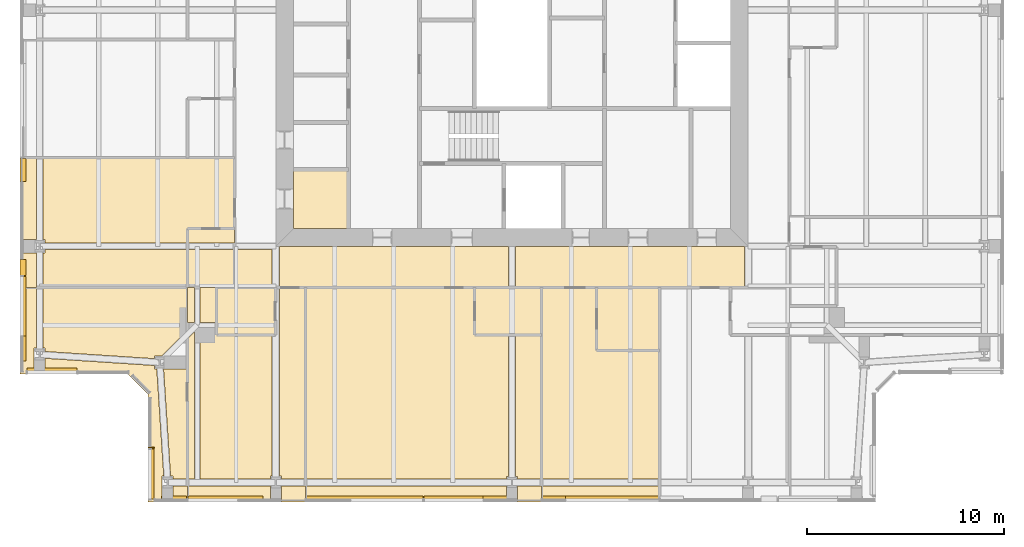
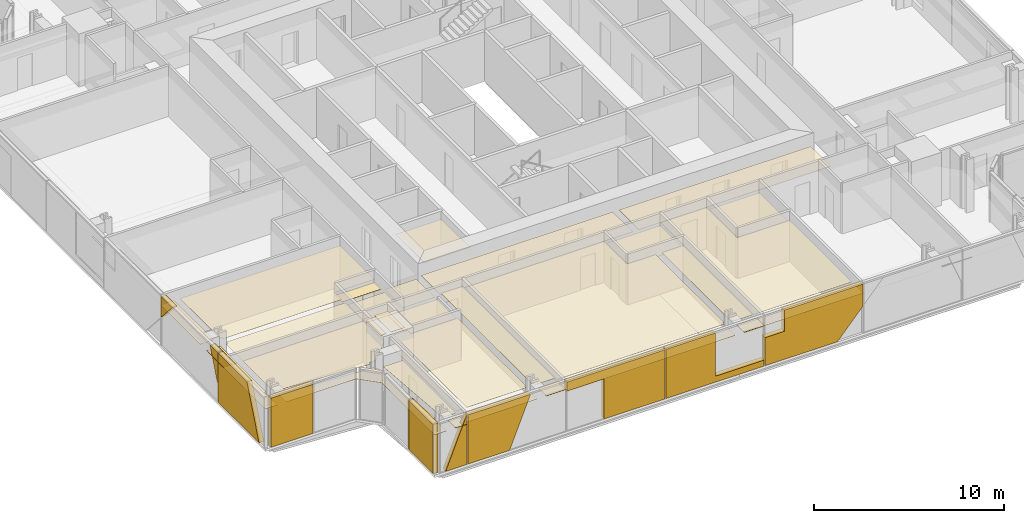
# One storey, part 16 of 20: 42 coverings.
"""IFC4 building model written with IfcOpenShell, lengths in metres."""

from ifc_helpers import new_model, si_unit, direction, frame, origin, place, context, subcontext, project, spatial, polyline, outline, extrude, material, layer, layer_set, type_object, element, save


model = new_model("IFC4")

# Units and contexts
model_context = context("Model", 3, precision=1e-05, world=origin(), true_north=direction((0.0, 1.0)))
body_context = subcontext(model_context, "Body", "Model", "MODEL_VIEW")
ifc_project = project(units=[si_unit("LENGTHUNIT", "METRE"), si_unit("AREAUNIT", "SQUARE_METRE"), si_unit("VOLUMEUNIT", "CUBIC_METRE"), si_unit("PLANEANGLEUNIT", "RADIAN"), si_unit("MASSUNIT", "GRAM", prefix="KILO")], contexts=[model_context])

# Site, building, storey
site_placement = place(None, origin())
site = spatial("IfcSite", under=ifc_project, at=site_placement, CompositionType="ELEMENT")
building_placement = place(site_placement, origin())
building = spatial("IfcBuilding", under=site, at=building_placement, Name="Fenwick Lantern Interchange", CompositionType="ELEMENT")
storey_placement = place(building_placement, frame((0.0, 0.0, 259.39990234375)))
storey = spatial("IfcBuildingStorey", under=building, at=storey_placement, Name="L61", CompositionType="ELEMENT", Elevation=259.39990234375)

# Coverings
ifc_material_1 = material(Name="Granite cladding, warm grey flamed finish, on aluminium carrier frame", Category="masonry")
ifc_layer_1 = layer(ifc_material_1, 0.300048828125)
ifc_layer_set_1 = layer_set([ifc_layer_1], Name="BRACE CASING PANEL 300")
covering_type_1 = type_object("IfcCoveringType", Name="BRACE CASING PANEL 300", PredefinedType="CLADDING", material=ifc_layer_set_1)
covering_1_placement = place(storey_placement, frame((6.60009765625, 0.10009765625, 0.0), z_axis=(0.0, 0.0, 1.0), x_axis=(1.0, 0.0, 0.0)))
element("IfcCovering", 1, at=covering_1_placement, inside=storey, type_object=covering_type_1, Name="Brace casing 01 bay 00a", PredefinedType="CLADDING", context=body_context, shape_type="SweptSolid", body=[
    extrude(outline(polyline([(0.578369140625, 0.0), (1.8701171875, 0.0), (1.8701171875, 3.150146484375), (1.852294921875, 3.150146484375), (0.578369140625, 0.0)])), frame((0.0, 0.2099609375, 0.0), z_axis=(0.0, -1.0, 0.0), x_axis=(1.0, 0.0, 0.0)), (0.0, 0.0, 1.0), 0.300048828125),
])
covering_2_placement = place(storey_placement, frame((6.60009765625, 0.10009765625, 0.0), z_axis=(0.0, 0.0, 1.0), x_axis=(1.0, 0.0, 0.0)))
element("IfcCovering", 2, at=covering_2_placement, inside=storey, type_object=covering_type_1, Name="Brace casing 01 bay 01a", PredefinedType="CLADDING", context=body_context, shape_type="SweptSolid", body=[
    extrude(outline(polyline([(1.929931640625, 0.0), (4.461669921875, 0.0), (5.735595703125, 3.150146484375), (1.929931640625, 3.150146484375), (1.929931640625, 0.0)])), frame((0.0, 0.2099609375, 0.0), z_axis=(0.0, -1.0, 0.0), x_axis=(1.0, 0.0, 0.0)), (0.0, 0.0, 1.0), 0.300048828125),
])
covering_3_placement = place(storey_placement, frame((6.60009765625, 0.10009765625, 0.0), z_axis=(0.0, 0.0, 1.0), x_axis=(1.0, 0.0, 0.0)))
element("IfcCovering", 3, at=covering_3_placement, inside=storey, type_object=covering_type_1, Name="Brace casing 01 bay 02a", PredefinedType="CLADDING", context=body_context, shape_type="SweptSolid", body=[
    extrude(outline(polyline([(10.195068359375, 0.0), (13.8701171875, 0.0), (13.8701171875, 3.150146484375), (7.929931640625, 3.150146484375), (7.929931640625, 2.572509765625), (10.195068359375, 2.572509765625), (10.195068359375, 0.0)])), frame((0.0, 0.2099609375, 0.0), z_axis=(0.0, -1.0, 0.0), x_axis=(1.0, 0.0, 0.0)), (0.0, 0.0, 1.0), 0.300048828125),
])
covering_4_placement = place(storey_placement, frame((6.60009765625, 0.10009765625, 0.0), z_axis=(0.0, 0.0, 1.0), x_axis=(1.0, 0.0, 0.0)))
element("IfcCovering", 4, at=covering_4_placement, inside=storey, type_object=covering_type_1, Name="Brace casing 01 bay 03a", PredefinedType="CLADDING", context=body_context, shape_type="SweptSolid", body=[
    extrude(outline(polyline([(13.929931640625, 0.0), (19.8701171875, 0.0), (19.8701171875, 0.384765625), (16.92626953125, 0.384765625), (16.92626953125, 3.150146484375), (13.929931640625, 3.150146484375), (13.929931640625, 0.0)])), frame((0.0, 0.2099609375, 0.0), z_axis=(0.0, -1.0, 0.0), x_axis=(1.0, 0.0, 0.0)), (0.0, 0.0, 1.0), 0.300048828125),
])
covering_5_placement = place(storey_placement, frame((6.60009765625, 0.10009765625, 0.0), z_axis=(0.0, 0.0, 1.0), x_axis=(1.0, 0.0, 0.0)))
element("IfcCovering", 5, at=covering_5_placement, inside=storey, type_object=covering_type_1, Name="Brace casing 01 bay 04a", PredefinedType="CLADDING", context=body_context, shape_type="SweptSolid", body=[
    extrude(outline(polyline([(19.929931640625, 0.0), (24.335205078125, 0.0), (25.8701171875, 1.739501953125), (25.8701171875, 3.150146484375), (21.1201171875, 3.150146484375), (21.1201171875, 1.79736328125), (19.929931640625, 1.79736328125), (19.929931640625, 0.0)])), frame((0.0, 0.2099609375, 0.0), z_axis=(0.0, -1.0, 0.0), x_axis=(1.0, 0.0, 0.0)), (0.0, 0.0, 1.0), 0.300048828125),
])
covering_6_placement = place(storey_placement, frame((0.10009765625, 43.39990234375, 1.8076171875), z_axis=(0.0, 0.0, 1.0), x_axis=(0.0, -1.0, 0.0)))
element("IfcCovering", 6, at=covering_6_placement, inside=storey, type_object=covering_type_1, Name="Brace casing 13 bay 05a", PredefinedType="CLADDING", context=body_context, shape_type="SweptSolid", body=[
    extrude(outline(polyline([(25.929931640625, 0.0), (27.114501953125, 1.342529296875), (25.929931640625, 1.342529296875), (25.929931640625, 0.0)])), frame((0.0, 0.2099609375, 0.0), z_axis=(0.0, -1.0, 0.0), x_axis=(1.0, 0.0, 0.0)), (0.0, 0.0, 1.0), 0.300048828125),
])
covering_7_placement = place(storey_placement, frame((0.10009765625, 43.39990234375, 1.158203125), z_axis=(0.0, 0.0, 1.0), x_axis=(0.0, -1.0, 0.0)))
element("IfcCovering", 7, at=covering_7_placement, inside=storey, type_object=covering_type_1, Name="Brace casing 13 bay 05b", PredefinedType="CLADDING", context=body_context, shape_type="SweptSolid", body=[
    extrude(outline(polyline([(31.8701171875, 0.0), (31.8701171875, 1.991943359375), (31.064453125, 1.991943359375), (31.8701171875, 0.0)])), frame((0.0, 0.2099609375, 0.0), z_axis=(0.0, -1.0, 0.0), x_axis=(1.0, 0.0, 0.0)), (0.0, 0.0, 1.0), 0.300048828125),
])
covering_8_placement = place(storey_placement, frame((0.10009765625, 43.39990234375, 0.0), z_axis=(0.0, 0.0, 1.0), x_axis=(0.0, -1.0, 0.0)))
element("IfcCovering", 8, at=covering_8_placement, inside=storey, type_object=covering_type_1, Name="Brace casing 13 bay 06a", PredefinedType="CLADDING", context=body_context, shape_type="SweptSolid", body=[
    extrude(outline(polyline([(31.929931640625, 0.0), (36.221435546875, 0.0), (34.94775390625, 3.150146484375), (31.929931640625, 3.150146484375), (31.929931640625, 0.0)])), frame((0.0, 0.2099609375, 0.0), z_axis=(0.0, -1.0, 0.0), x_axis=(1.0, 0.0, 0.0)), (0.0, 0.0, 1.0), 0.300048828125),
])
covering_9_placement = place(storey_placement, frame((0.10009765625, 6.60009765625, 0.0), z_axis=(0.0, 0.0, 1.0), x_axis=(1.0, 0.0, 0.0)))
element("IfcCovering", 9, at=covering_9_placement, inside=storey, type_object=covering_type_1, Name="Brace casing 14 bay 00a", PredefinedType="CLADDING", context=body_context, shape_type="SweptSolid", body=[
    extrude(outline(polyline([(0.260009765625, 0.0), (2.790771484375, 0.0), (2.790771484375, 3.150146484375), (0.260009765625, 3.150146484375), (0.260009765625, 0.0)])), frame((0.0, 0.2099609375, 0.0), z_axis=(0.0, -1.0, 0.0), x_axis=(1.0, 0.0, 0.0)), (0.0, 0.0, 1.0), 0.300048828125),
])
covering_10_placement = place(storey_placement, frame((6.60009765625, 5.54150390625, 0.0), z_axis=(0.0, 0.0, 1.0), x_axis=(0.0, -1.0, 0.0)))
element("IfcCovering", 10, at=covering_10_placement, inside=storey, type_object=covering_type_1, Name="Brace casing 16 bay 00a", PredefinedType="CLADDING", context=body_context, shape_type="SweptSolid", body=[
    extrude(outline(polyline([(2.741455078125, 0.0), (2.790771484375, 0.0), (2.790771484375, 3.150146484375), (2.741455078125, 3.150146484375), (2.741455078125, 0.0)])), frame((0.0, 0.2099609375, 0.0), z_axis=(0.0, -1.0, 0.0), x_axis=(1.0, 0.0, 0.0)), (0.0, 0.0, 1.0), 0.300048828125),
])
covering_11_placement = place(storey_placement, frame((6.60009765625, 5.54150390625, 0.0), z_axis=(0.0, 0.0, 1.0), x_axis=(0.0, -1.0, 0.0)))
element("IfcCovering", 11, at=covering_11_placement, inside=storey, type_object=covering_type_1, Name="Brace casing 16 bay 01a", PredefinedType="CLADDING", context=body_context, shape_type="SweptSolid", body=[
    extrude(outline(polyline([(2.850830078125, 0.0), (5.38134765625, 0.0), (5.38134765625, 3.150146484375), (2.850830078125, 3.150146484375), (2.850830078125, 0.0)])), frame((0.0, 0.2099609375, 0.0), z_axis=(0.0, -1.0, 0.0), x_axis=(1.0, 0.0, 0.0)), (0.0, 0.0, 1.0), 0.300048828125),
])
ifc_material_2 = material(Name="Moisture resistant gypsum board on suspended frame, painted")
ifc_layer_2 = layer(ifc_material_2, 0.014892578125)
ifc_layer_set_2 = layer_set([ifc_layer_2], Name="MOISTURE RESISTANT CEILING 15")
covering_type_2 = type_object("IfcCoveringType", Name="MOISTURE RESISTANT CEILING 15", PredefinedType="CEILING", material=ifc_layer_set_2)
covering_12_placement = place(storey_placement, frame((0.0, 0.0, 2.60009765625)))
element("IfcCovering", 12, at=covering_12_placement, inside=storey, type_object=covering_type_2, Name="Accessible WC ceiling", PredefinedType="CEILING", context=body_context, shape_type="SweptSolid", body=[
    extrude(outline(polyline([(13.89990234375, 13.89990234375), (16.699951171875, 13.89990234375), (16.699951171875, 16.89990234375), (13.89990234375, 16.89990234375), (13.89990234375, 13.89990234375)])), origin(), (0.0, 0.0, 1.0), 0.014892578125),
])
covering_13_placement = place(storey_placement, frame((0.0, 0.0, 2.400146484375)))
element("IfcCovering", 13, at=covering_13_placement, inside=storey, type_object=covering_type_2, Name="En-suite 6101 ceiling", PredefinedType="CEILING", context=body_context, shape_type="SweptSolid", body=[
    extrude(outline(polyline([(9.97509765625, 8.5), (12.97509765625, 8.5), (12.97509765625, 10.89990234375), (9.97509765625, 10.89990234375), (9.97509765625, 8.5)])), origin(), (0.0, 0.0, 1.0), 0.014892578125),
])
covering_14_placement = place(storey_placement, frame((0.0, 0.0, 2.400146484375)))
element("IfcCovering", 14, at=covering_14_placement, inside=storey, type_object=covering_type_2, Name="En-suite 6102 ceiling", PredefinedType="CEILING", context=body_context, shape_type="SweptSolid", body=[
    extrude(outline(polyline([(23.10009765625, 8.5), (26.5, 8.5), (26.5, 10.89990234375), (23.10009765625, 10.89990234375), (23.10009765625, 8.5)])), origin(), (0.0, 0.0, 1.0), 0.014892578125),
])
covering_15_placement = place(storey_placement, frame((0.0, 0.0, 2.400146484375)))
element("IfcCovering", 15, at=covering_15_placement, inside=storey, type_object=covering_type_2, Name="En-suite 6103 ceiling", PredefinedType="CEILING", context=body_context, shape_type="SweptSolid", body=[
    extrude(outline(polyline([(29.300048828125, 7.699951171875), (32.5, 7.699951171875), (32.5, 10.89990234375), (29.300048828125, 10.89990234375), (29.300048828125, 7.699951171875)])), origin(), (0.0, 0.0, 1.0), 0.014892578125),
])
covering_16_placement = place(storey_placement, frame((0.0, 0.0, 2.400146484375)))
element("IfcCovering", 16, at=covering_16_placement, inside=storey, type_object=covering_type_2, Name="En-suite 6116 ceiling", PredefinedType="CEILING", context=body_context, shape_type="SweptSolid", body=[
    extrude(outline(polyline([(10.89990234375, 10.89990234375), (10.89990234375, 12.833984375), (8.5, 12.833984375), (8.5, 10.89990234375), (10.89990234375, 10.89990234375)])), origin(), (0.0, 0.0, 1.0), 0.014892578125),
])
covering_17_placement = place(storey_placement, frame((0.0, 0.0, 2.400146484375)))
element("IfcCovering", 17, at=covering_17_placement, inside=storey, type_object=covering_type_2, Name="En-suite 6116 ceiling", PredefinedType="CEILING", context=body_context, shape_type="SweptSolid", body=[
    extrude(outline(polyline([(8.5, 13.89990234375), (8.5, 13.166015625), (10.89990234375, 13.166015625), (10.89990234375, 13.89990234375), (8.5, 13.89990234375)])), origin(), (0.0, 0.0, 1.0), 0.014892578125),
])
ifc_material_3 = material(Name="Gypsum plasterboard on suspended frame, painted")
ifc_layer_3 = layer(ifc_material_3, 0.014892578125)
ifc_layer_set_3 = layer_set([ifc_layer_3], Name="PLASTERBOARD CEILING 15")
covering_type_3 = type_object("IfcCoveringType", Name="PLASTERBOARD CEILING 15", PredefinedType="CEILING", material=ifc_layer_set_3)
covering_18_placement = place(storey_placement, frame((0.0, 0.0, 2.572998046875)))
element("IfcCovering", 18, at=covering_18_placement, inside=storey, type_object=covering_type_3, Name="Corridor ceiling", PredefinedType="CEILING", context=body_context, shape_type="SweptSolid", body=[
    extrude(outline(polyline([(13.183837890625, 10.89990234375), (24.816162109375, 10.89990234375), (24.816162109375, 13.0), (13.183837890625, 13.0), (13.183837890625, 10.89990234375)])), origin(), (0.0, 0.0, 1.0), 0.014892578125),
])
covering_19_placement = place(storey_placement, frame((0.0, 0.0, 2.572998046875)))
element("IfcCovering", 19, at=covering_19_placement, inside=storey, type_object=covering_type_3, Name="Corridor ceiling", PredefinedType="CEILING", context=body_context, shape_type="SweptSolid", body=[
    extrude(outline(polyline([(25.183837890625, 10.89990234375), (36.816162109375, 10.89990234375), (36.816162109375, 13.0), (25.183837890625, 13.0), (25.183837890625, 10.89990234375)])), origin(), (0.0, 0.0, 1.0), 0.014892578125),
])
covering_20_placement = place(storey_placement, frame((0.0, 0.0, 2.572998046875)))
element("IfcCovering", 20, at=covering_20_placement, inside=storey, type_object=covering_type_3, Name="Corridor ceiling", PredefinedType="CEILING", context=body_context, shape_type="SweptSolid", body=[
    extrude(outline(polyline([(10.89990234375, 10.89990234375), (12.816162109375, 10.89990234375), (12.816162109375, 12.833984375), (10.89990234375, 12.833984375), (10.89990234375, 10.89990234375)])), origin(), (0.0, 0.0, 1.0), 0.014892578125),
])
covering_21_placement = place(storey_placement, frame((0.0, 0.0, 2.572998046875)))
element("IfcCovering", 21, at=covering_21_placement, inside=storey, type_object=covering_type_3, Name="Guest suite 6101 sitting room ceiling", PredefinedType="CEILING", context=body_context, shape_type="SweptSolid", body=[
    extrude(outline(polyline([(1.17236328125, 7.83447265625), (1.27734375, 7.83447265625), (1.27734375, 7.654541015625), (6.82275390625, 7.291015625), (6.82275390625, 7.4345703125), (7.217529296875, 7.4345703125), (8.5, 8.716796875), (8.5, 10.89990234375), (1.17236328125, 10.89990234375), (1.17236328125, 7.83447265625)])), origin(), (0.0, 0.0, 1.0), 0.014892578125),
])
covering_22_placement = place(storey_placement, frame((0.0, 0.0, 2.572998046875)))
element("IfcCovering", 22, at=covering_22_placement, inside=storey, type_object=covering_type_3, Name="Guest suite 6101 sitting room ceiling", PredefinedType="CEILING", context=body_context, shape_type="SweptSolid", body=[
    extrude(outline(polyline([(6.82275390625, 6.765625), (6.82275390625, 6.9453125), (1.27734375, 7.30908203125), (1.27734375, 6.5), (5.5, 6.5), (6.5, 5.5), (6.5, 0.0), (7.22265625, 0.0), (7.22265625, 1.33447265625), (7.30517578125, 1.33447265625), (6.94921875, 6.765625), (6.82275390625, 6.765625)])), origin(), (0.0, 0.0, 1.0), 0.014892578125),
])
covering_23_placement = place(storey_placement, frame((0.0, 0.0, 2.572998046875)))
element("IfcCovering", 23, at=covering_23_placement, inside=storey, type_object=covering_type_3, Name="Guest suite 6101 sitting room ceiling", PredefinedType="CEILING", context=body_context, shape_type="SweptSolid", body=[
    extrude(outline(polyline([(8.5, 6.765625), (7.294677734375, 6.765625), (7.65087890625, 1.33447265625), (7.77734375, 1.33447265625), (7.77734375, 1.17236328125), (8.5, 1.17236328125), (8.5, 6.765625)])), origin(), (0.0, 0.0, 1.0), 0.014892578125),
])
covering_24_placement = place(storey_placement, frame((0.0, 0.0, 2.572998046875)))
element("IfcCovering", 24, at=covering_24_placement, inside=storey, type_object=covering_type_3, Name="Guest suite 6101 sitting room ceiling", PredefinedType="CEILING", context=body_context, shape_type="SweptSolid", body=[
    extrude(outline(polyline([(0.72265625, 7.83447265625), (0.82763671875, 7.83447265625), (0.82763671875, 10.89990234375), (0.0, 10.89990234375), (0.0, 6.5), (0.72265625, 6.5), (0.72265625, 7.83447265625)])), origin(), (0.0, 0.0, 1.0), 0.014892578125),
])
covering_25_placement = place(storey_placement, frame((0.0, 0.0, 2.572998046875)))
element("IfcCovering", 25, at=covering_25_placement, inside=storey, type_object=covering_type_3, Name="Guest suite 6101 sitting room ceiling", PredefinedType="CEILING", context=body_context, shape_type="SweptSolid", body=[
    extrude(outline(polyline([(8.5, 0.0), (8.5, 0.82763671875), (7.77734375, 0.82763671875), (7.77734375, 0.0), (8.5, 0.0)])), origin(), (0.0, 0.0, 1.0), 0.014892578125),
])
covering_26_placement = place(storey_placement, frame((0.0, 0.0, 2.7001953125)))
element("IfcCovering", 26, at=covering_26_placement, inside=storey, type_object=covering_type_3, Name="Guest suite 6101 bedroom ceiling", PredefinedType="CEILING", context=body_context, shape_type="SweptSolid", body=[
    extrude(outline(polyline([(12.72265625, 1.33447265625), (12.816162109375, 1.33447265625), (12.816162109375, 8.5), (9.97509765625, 8.5), (9.97509765625, 8.865478515625), (9.134521484375, 8.865478515625), (9.134521484375, 1.17236328125), (12.72265625, 1.17236328125), (12.72265625, 1.33447265625)])), origin(), (0.0, 0.0, 1.0), 0.014892578125),
])
covering_27_placement = place(storey_placement, frame((0.0, 0.0, 2.7001953125)))
element("IfcCovering", 27, at=covering_27_placement, inside=storey, type_object=covering_type_3, Name="Guest suite 6101 bedroom ceiling", PredefinedType="CEILING", context=body_context, shape_type="SweptSolid", body=[
    extrude(outline(polyline([(13.27734375, 1.33447265625), (13.27734375, 1.17236328125), (14.5, 1.17236328125), (14.5, 10.89990234375), (13.183837890625, 10.89990234375), (13.183837890625, 1.33447265625), (13.27734375, 1.33447265625)])), origin(), (0.0, 0.0, 1.0), 0.014892578125),
])
covering_28_placement = place(storey_placement, frame((0.0, 0.0, 2.7001953125)))
element("IfcCovering", 28, at=covering_28_placement, inside=storey, type_object=covering_type_3, Name="Guest suite 6101 bedroom ceiling", PredefinedType="CEILING", context=body_context, shape_type="SweptSolid", body=[
    extrude(outline(polyline([(12.72265625, 0.0), (12.72265625, 0.82763671875), (8.5, 0.82763671875), (8.5, 0.0), (12.72265625, 0.0)])), origin(), (0.0, 0.0, 1.0), 0.014892578125),
])
covering_29_placement = place(storey_placement, frame((0.0, 0.0, 2.7001953125)))
element("IfcCovering", 29, at=covering_29_placement, inside=storey, type_object=covering_type_3, Name="Guest suite 6101 bedroom ceiling", PredefinedType="CEILING", context=body_context, shape_type="SweptSolid", body=[
    extrude(outline(polyline([(8.5, 8.283203125), (8.5, 1.17236328125), (8.865478515625, 1.17236328125), (8.865478515625, 8.648681640625), (8.5, 8.283203125)])), origin(), (0.0, 0.0, 1.0), 0.014892578125),
])
covering_30_placement = place(storey_placement, frame((0.0, 0.0, 2.7001953125)))
element("IfcCovering", 30, at=covering_30_placement, inside=storey, type_object=covering_type_3, Name="Guest suite 6101 bedroom ceiling", PredefinedType="CEILING", context=body_context, shape_type="SweptSolid", body=[
    extrude(outline(polyline([(9.97509765625, 10.89990234375), (9.134521484375, 10.89990234375), (9.134521484375, 9.134521484375), (9.97509765625, 9.134521484375), (9.97509765625, 10.89990234375)])), origin(), (0.0, 0.0, 1.0), 0.014892578125),
])
covering_31_placement = place(storey_placement, frame((0.0, 0.0, 2.7001953125)))
element("IfcCovering", 31, at=covering_31_placement, inside=storey, type_object=covering_type_3, Name="Guest suite 6101 bedroom ceiling", PredefinedType="CEILING", context=body_context, shape_type="SweptSolid", body=[
    extrude(outline(polyline([(13.27734375, 0.0), (14.5, 0.0), (14.5, 0.82763671875), (13.27734375, 0.82763671875), (13.27734375, 0.0)])), origin(), (0.0, 0.0, 1.0), 0.014892578125),
])
covering_32_placement = place(storey_placement, frame((0.0, 0.0, 2.7001953125)))
element("IfcCovering", 32, at=covering_32_placement, inside=storey, type_object=covering_type_3, Name="Guest suite 6101 bedroom ceiling", PredefinedType="CEILING", context=body_context, shape_type="SweptSolid", body=[
    extrude(outline(polyline([(8.5, 10.89990234375), (8.5, 9.134521484375), (8.865478515625, 9.134521484375), (8.865478515625, 10.89990234375), (8.5, 10.89990234375)])), origin(), (0.0, 0.0, 1.0), 0.014892578125),
])
covering_33_placement = place(storey_placement, frame((0.0, 0.0, 2.572998046875)))
element("IfcCovering", 33, at=covering_33_placement, inside=storey, type_object=covering_type_3, Name="Guest suite 6102 ceiling", PredefinedType="CEILING", context=body_context, shape_type="SweptSolid", body=[
    extrude(outline(polyline([(24.72900390625, 1.3154296875), (24.816162109375, 1.3154296875), (24.816162109375, 8.5), (23.10009765625, 8.5), (23.10009765625, 10.89990234375), (14.5, 10.89990234375), (14.5, 1.17236328125), (24.72900390625, 1.17236328125), (24.72900390625, 1.3154296875)])), origin(), (0.0, 0.0, 1.0), 0.014892578125),
])
covering_34_placement = place(storey_placement, frame((0.0, 0.0, 2.572998046875)))
element("IfcCovering", 34, at=covering_34_placement, inside=storey, type_object=covering_type_3, Name="Guest suite 6102 ceiling", PredefinedType="CEILING", context=body_context, shape_type="SweptSolid", body=[
    extrude(outline(polyline([(25.27099609375, 1.3154296875), (25.27099609375, 1.17236328125), (26.5, 1.17236328125), (26.5, 8.5), (25.183837890625, 8.5), (25.183837890625, 1.3154296875), (25.27099609375, 1.3154296875)])), origin(), (0.0, 0.0, 1.0), 0.014892578125),
])
covering_35_placement = place(storey_placement, frame((0.0, 0.0, 2.572998046875)))
element("IfcCovering", 35, at=covering_35_placement, inside=storey, type_object=covering_type_3, Name="Guest suite 6102 ceiling", PredefinedType="CEILING", context=body_context, shape_type="SweptSolid", body=[
    extrude(outline(polyline([(24.72900390625, 0.0), (24.72900390625, 0.82763671875), (14.5, 0.82763671875), (14.5, 0.0), (24.72900390625, 0.0)])), origin(), (0.0, 0.0, 1.0), 0.014892578125),
])
covering_36_placement = place(storey_placement, frame((0.0, 0.0, 2.572998046875)))
element("IfcCovering", 36, at=covering_36_placement, inside=storey, type_object=covering_type_3, Name="Guest suite 6102 ceiling", PredefinedType="CEILING", context=body_context, shape_type="SweptSolid", body=[
    extrude(outline(polyline([(25.27099609375, 0.82763671875), (25.27099609375, 0.0), (26.5, 0.0), (26.5, 0.82763671875), (25.27099609375, 0.82763671875)])), origin(), (0.0, 0.0, 1.0), 0.014892578125),
])
covering_37_placement = place(storey_placement, frame((0.0, 0.0, 2.572998046875)))
element("IfcCovering", 37, at=covering_37_placement, inside=storey, type_object=covering_type_3, Name="Guest room 6103 ceiling", PredefinedType="CEILING", context=body_context, shape_type="SweptSolid", body=[
    extrude(outline(polyline([(26.5, 10.89990234375), (26.5, 1.17236328125), (32.5, 1.17236328125), (32.5, 7.699951171875), (29.300048828125, 7.699951171875), (29.300048828125, 10.89990234375), (26.5, 10.89990234375)])), origin(), (0.0, 0.0, 1.0), 0.014892578125),
])
covering_38_placement = place(storey_placement, frame((0.0, 0.0, 2.572998046875)))
element("IfcCovering", 38, at=covering_38_placement, inside=storey, type_object=covering_type_3, Name="Guest room 6103 ceiling", PredefinedType="CEILING", context=body_context, shape_type="SweptSolid", body=[
    extrude(outline(polyline([(26.5, 0.0), (32.5, 0.0), (32.5, 0.82763671875), (26.5, 0.82763671875), (26.5, 0.0)])), origin(), (0.0, 0.0, 1.0), 0.014892578125),
])
covering_39_placement = place(storey_placement, frame((0.0, 0.0, 2.572998046875)))
element("IfcCovering", 39, at=covering_39_placement, inside=storey, type_object=covering_type_3, Name="Guest room 6116 ceiling", PredefinedType="CEILING", context=body_context, shape_type="SweptSolid", body=[
    extrude(outline(polyline([(1.27734375, 13.33447265625), (1.27734375, 13.166015625), (8.5, 13.166015625), (8.5, 13.89990234375), (10.89990234375, 13.89990234375), (10.89990234375, 17.5), (1.17236328125, 17.5), (1.17236328125, 13.33447265625), (1.27734375, 13.33447265625)])), origin(), (0.0, 0.0, 1.0), 0.014892578125),
])
covering_40_placement = place(storey_placement, frame((0.0, 0.0, 2.572998046875)))
element("IfcCovering", 40, at=covering_40_placement, inside=storey, type_object=covering_type_3, Name="Guest room 6116 ceiling", PredefinedType="CEILING", context=body_context, shape_type="SweptSolid", body=[
    extrude(outline(polyline([(1.27734375, 12.66552734375), (1.17236328125, 12.66552734375), (1.17236328125, 10.89990234375), (8.5, 10.89990234375), (8.5, 12.833984375), (1.27734375, 12.833984375), (1.27734375, 12.66552734375)])), origin(), (0.0, 0.0, 1.0), 0.014892578125),
])
covering_41_placement = place(storey_placement, frame((0.0, 0.0, 2.572998046875)))
element("IfcCovering", 41, at=covering_41_placement, inside=storey, type_object=covering_type_3, Name="Guest room 6116 ceiling", PredefinedType="CEILING", context=body_context, shape_type="SweptSolid", body=[
    extrude(outline(polyline([(0.0, 13.33447265625), (0.82763671875, 13.33447265625), (0.82763671875, 17.5), (0.0, 17.5), (0.0, 13.33447265625)])), origin(), (0.0, 0.0, 1.0), 0.014892578125),
])
covering_42_placement = place(storey_placement, frame((0.0, 0.0, 2.572998046875)))
element("IfcCovering", 42, at=covering_42_placement, inside=storey, type_object=covering_type_3, Name="Guest room 6116 ceiling", PredefinedType="CEILING", context=body_context, shape_type="SweptSolid", body=[
    extrude(outline(polyline([(0.82763671875, 12.66552734375), (0.0, 12.66552734375), (0.0, 10.89990234375), (0.82763671875, 10.89990234375), (0.82763671875, 12.66552734375)])), origin(), (0.0, 0.0, 1.0), 0.014892578125),
])

save(model, "model.ifc")
